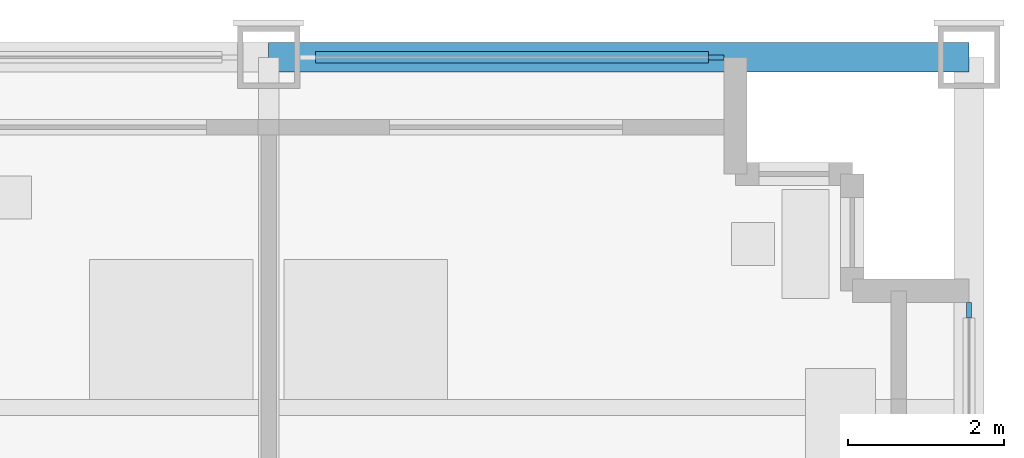
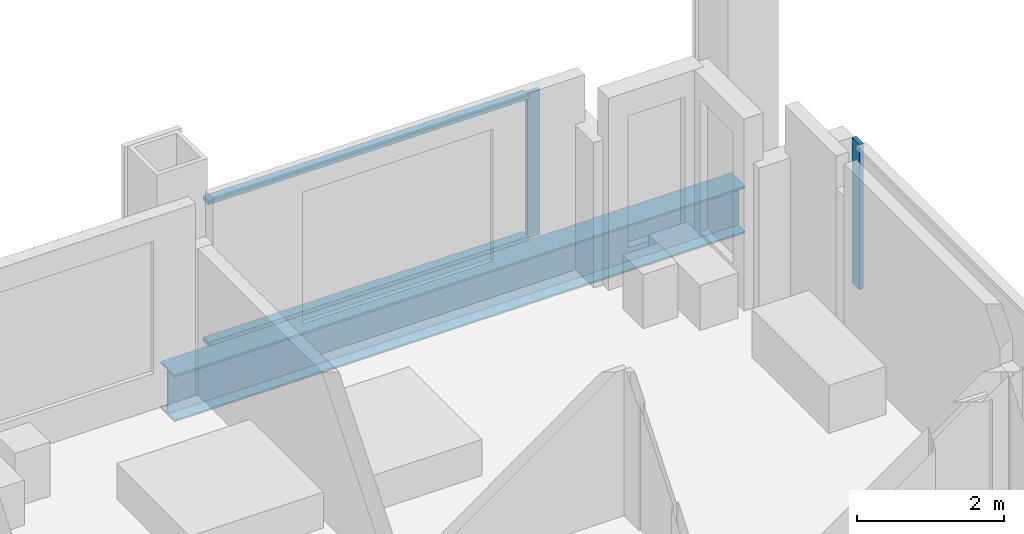
# One storey, part 7 of 16: 4 members, 1 beam, 2 elements without a shape of their own.
"""IFC4 building model written with IfcOpenShell, lengths in metres."""

from ifc_helpers import new_model, si_unit, direction, frame, origin, origin_2d, place, context, subcontext, project, spatial, rectangle, i_section, extrude, material, material_profile, profile_set, type_object, element, aggregate, save


model = new_model("IFC4")

# Units and contexts
model_context = context("Model", 3, precision=1e-05, world=origin(), true_north=direction((0.0, 1.0)))
body_context = subcontext(model_context, "Body", "Model", "MODEL_VIEW")
ifc_project = project(units=[si_unit("LENGTHUNIT", "METRE"), si_unit("AREAUNIT", "SQUARE_METRE"), si_unit("VOLUMEUNIT", "CUBIC_METRE"), si_unit("PLANEANGLEUNIT", "RADIAN"), si_unit("MASSUNIT", "GRAM", prefix="KILO")], contexts=[model_context])

# Site, building, storey
site_placement = place(None, origin())
site = spatial("IfcSite", under=ifc_project, at=site_placement, CompositionType="ELEMENT")
building_placement = place(site_placement, origin())
building = spatial("IfcBuilding", under=site, at=building_placement, Name="Loomwork Tower", CompositionType="ELEMENT")
storey_placement = place(building_placement, frame((0.0, 0.0, 101.0)))
storey = spatial("IfcBuildingStorey", under=building, at=storey_placement, Name="L26", CompositionType="ELEMENT", Elevation=101.0)

# Curtain wall, member
ifc_material_1 = material(Name="Aluminium curtain wall frame", Category="aluminium")
curtain_wall_type = type_object("IfcCurtainWallType", Name="Outer skin glazing hotel", PredefinedType="NOTDEFINED", material=ifc_material_1)
curtain_wall_1_placement = place(storey_placement, origin())
curtain_wall_1 = element("IfcCurtainWall", 1, at=curtain_wall_1_placement, inside=storey, type_object=curtain_wall_type, Name="Outer skin glazing hotel cw/N-36", PredefinedType="NOTDEFINED")
ifc_material_2 = material(Name="Aluminium curtain wall frame", Category="aluminium")
ifc_material_profile_1 = material_profile(ifc_material_2, rectangle(XDim=0.06494140625, YDim=0.199951171875, at=origin_2d()), Name="AL 65x200")
ifc_profile_set_1 = profile_set([ifc_material_profile_1], Name="Aluminium curtain wall frame")
member_type_1 = type_object("IfcMemberType", Name="Outer skin glazing hotel mullion", PredefinedType="MULLION", material=ifc_profile_set_1)
member_1_placement = place(storey_placement, frame((41.75, 36.0, 0.0), z_axis=(0.0, 0.0, 1.0), x_axis=(0.0, -1.0, 0.0)))
member_1 = element("IfcMember", 2, at=member_1_placement, type_object=member_type_1, Name="CW1 mullion 1", PredefinedType="MULLION", context=body_context, shape_type="SweptSolid", body=[
    extrude(rectangle(XDim=0.06494140625, YDim=0.199951171875, at=origin_2d()), origin(), (0.0, 0.0, 1.0), 2.420166015625),
])

curtain_wall_2_placement = place(storey_placement, origin())
curtain_wall_2 = element("IfcCurtainWall", 3, at=curtain_wall_2_placement, inside=storey, type_object=curtain_wall_type, Name="Outer skin glazing hotel cw/E-27", PredefinedType="NOTDEFINED")
member_2_placement = place(storey_placement, frame((45.0, 32.75, 0.0), z_axis=(0.0, 0.0, 1.0), x_axis=(-1.0, 0.0, 0.0)))
member_2 = element("IfcMember", 4, at=member_2_placement, type_object=member_type_1, Name="CW1 mullion 2", PredefinedType="MULLION", context=body_context, shape_type="SweptSolid", body=[
    extrude(rectangle(XDim=0.06494140625, YDim=0.199951171875, at=origin_2d()), origin(), (0.0, 0.0, 1.0), 2.420166015625),
])
aggregate(curtain_wall_2, [member_2])

# Member
ifc_material_3 = material(Name="Aluminium curtain wall frame", Category="aluminium")
ifc_material_profile_2 = material_profile(ifc_material_3, rectangle(XDim=0.14990234375, YDim=0.06494140625, at=origin_2d()), Name="AL 65x150")
ifc_profile_set_2 = profile_set([ifc_material_profile_2], Name="Aluminium curtain wall frame")
member_type_2 = type_object("IfcMemberType", Name="Outer skin glazing hotel transom", PredefinedType="USERDEFINED", material=ifc_profile_set_2)
member_3_placement = place(storey_placement, frame((41.64990234375, 36.0, 0.032470703125), z_axis=(-1.0, 0.0, 0.0), x_axis=(0.0, -1.0, 0.0)))
member_3 = element("IfcMember", 5, at=member_3_placement, type_object=member_type_2, Name="CW1 transom 1.1", ObjectType="TRANSOM", PredefinedType="USERDEFINED", context=body_context, shape_type="SweptSolid", body=[
    extrude(rectangle(XDim=0.14990234375, YDim=0.06494140625, at=origin_2d()), origin(), (0.0, 0.0, 1.0), 5.0498046875),
])

member_4_placement = place(storey_placement, frame((41.64990234375, 36.0, 2.3876953125), z_axis=(-1.0, 0.0, 0.0), x_axis=(0.0, -1.0, 0.0)))
member_4 = element("IfcMember", 6, at=member_4_placement, type_object=member_type_2, Name="CW1 transom 1.2", ObjectType="TRANSOM", PredefinedType="USERDEFINED", context=body_context, shape_type="SweptSolid", body=[
    extrude(rectangle(XDim=0.14990234375, YDim=0.06494140625, at=origin_2d()), origin(), (0.0, 0.0, 1.0), 5.0498046875),
])

aggregate(curtain_wall_1, [member_1, member_3, member_4])

# Beam
ifc_material_4 = material(Name="Steel ASTM A992", Category="steel")
ifc_material_profile_3 = material_profile(ifc_material_4, i_section(OverallWidth=0.381103515625, OverallDepth=0.77978515625, WebThickness=0.01806640625, FlangeThickness=0.0302734375, at=origin_2d()), Name="W30x191")
ifc_profile_set_3 = profile_set([ifc_material_profile_3], Name="Steel ASTM A992")
beam_type = type_object("IfcBeamType", Name="SPANDREL GIRDER W30x191", PredefinedType="SPANDREL", material=ifc_profile_set_3)
beam_placement = place(storey_placement, frame((36.0, 36.0, -0.58984375), z_axis=(1.0, 0.0, 0.0), x_axis=(0.0, 1.0, 0.0)))
element("IfcBeam", 7, at=beam_placement, inside=storey, type_object=beam_type, Name="Spandrel Girder H/6-H/7 L26", PredefinedType="SPANDREL", context=body_context, shape_type="SweptSolid", body=[
    extrude(i_section(OverallWidth=0.381103515625, OverallDepth=0.77978515625, WebThickness=0.01806640625, FlangeThickness=0.0302734375, at=origin_2d()), origin(), (0.0, 0.0, 1.0), 9.0),
])

save(model, "model.ifc")
